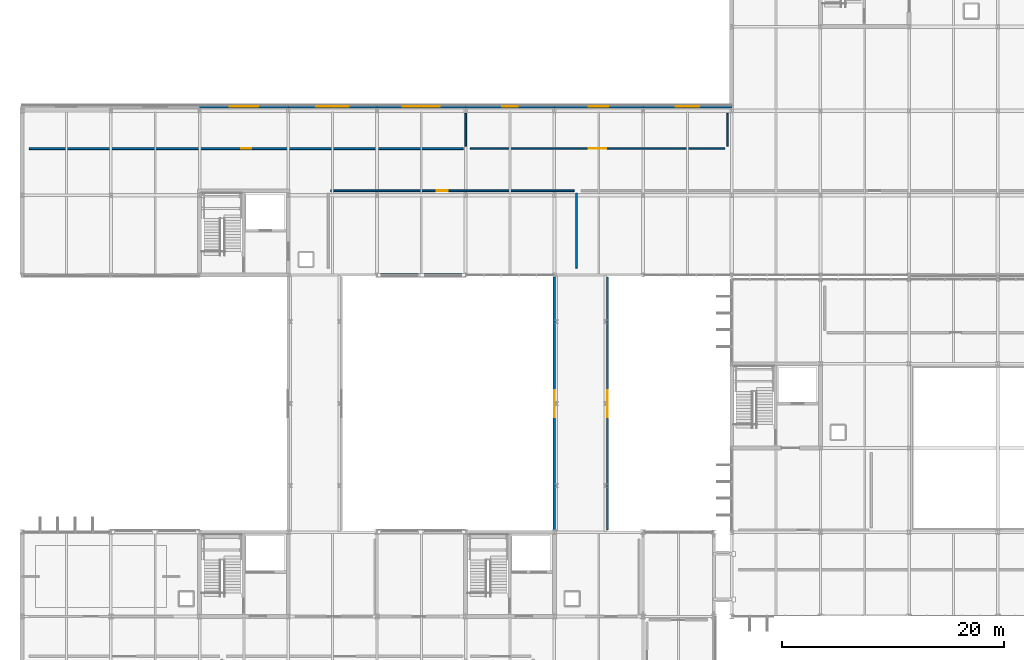
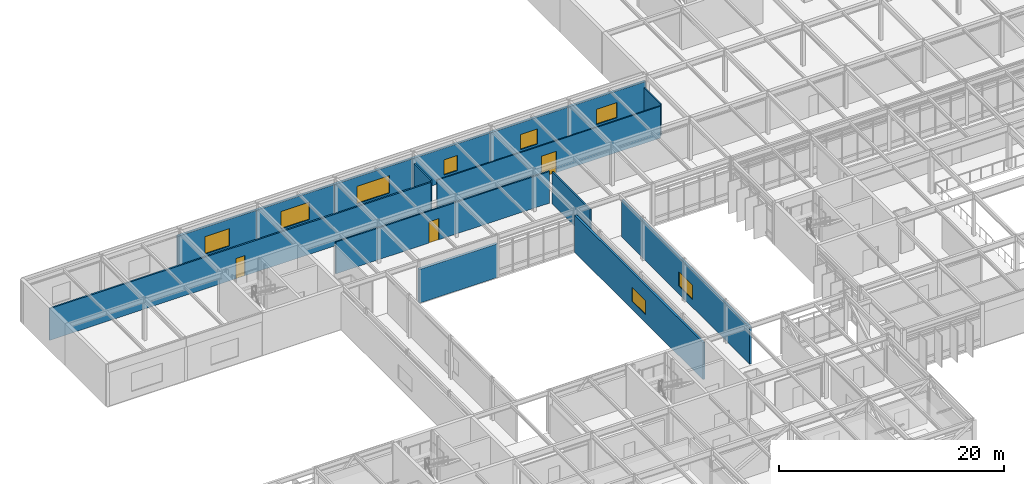
# One storey, part 82 of 104: 15 walls, 8 windows, 3 doors, 11 openings.
"""IFC4 building model written with IfcOpenShell, lengths in metres."""

from ifc_helpers import new_model, si_unit, direction, frame, frame_2d, origin, place, context, subcontext, project, spatial, rectangle, extrude, material, layer, layer_set, type_object, element, fill, save


model = new_model("IFC4")

# Units and contexts
model_context = context("Model", 3, precision=1e-05, world=origin(), true_north=direction((0.0, 1.0)))
body_context = subcontext(model_context, "Body", "Model", "MODEL_VIEW")
ifc_project = project(units=[si_unit("LENGTHUNIT", "METRE"), si_unit("AREAUNIT", "SQUARE_METRE"), si_unit("VOLUMEUNIT", "CUBIC_METRE"), si_unit("PLANEANGLEUNIT", "RADIAN"), si_unit("MASSUNIT", "GRAM", prefix="KILO")], contexts=[model_context])

# Site, building, storey
site_placement = place(None, origin())
site = spatial("IfcSite", under=ifc_project, at=site_placement, CompositionType="ELEMENT")
building_placement = place(site_placement, origin())
building = spatial("IfcBuilding", under=site, at=building_placement, Name="Zulena Civic Courthouse", CompositionType="ELEMENT")
storey_placement = place(building_placement, frame((0.0, 0.0, 15.60009765625)))
storey = spatial("IfcBuildingStorey", under=building, at=storey_placement, Name="L03", CompositionType="ELEMENT", Elevation=15.60009765625)

# Wall, opening, window
ifc_material_1 = material(Name="Travertine-cream architectural precast concrete C40/50", Category="masonry")
ifc_layer_1 = layer(ifc_material_1, 0.205078125)
ifc_layer_set_1 = layer_set([ifc_layer_1], Name="Travertine-cream architectural precast concrete C40/50")
wall_type_1 = type_object("IfcWallType", Name="BridgeWall_GlazedScreen_205", PredefinedType="STANDARD", material=ifc_layer_set_1)
wall_1_placement = place(storey_placement, frame((52.0, 22.97998046875, 0.0), z_axis=(0.0, 0.0, 1.0), x_axis=(0.0, 1.0, 0.0)))
wall_1 = element("IfcWall", 1, at=wall_1_placement, inside=storey, type_object=wall_type_1, Name="ewall:bridge:BR-52C:L03:W", PredefinedType="STANDARD", context=body_context, shape_type="SweptSolid", body=[
    extrude(rectangle(XDim=22.840087890625, YDim=0.205078125, at=frame_2d((11.419921875, 0.0))), origin(), (0.0, 0.0, 1.0), 4.02001953125),
])
opening_1_placement = place(wall_1_placement, frame((10.195068359375, 0.0, 0.85009765625)))
opening_1 = element("IfcOpeningElement", 2, at=opening_1_placement, cuts=wall_1, Name="Opening WN27", PredefinedType="OPENING", context=body_context, shape_type="SweptSolid", body=[
    extrude(rectangle(XDim=2.449951171875, YDim=1.550048828125, at=frame_2d((1.22509765625, 0.77490234375))), frame((0.0, 0.112548828125, 0.0), z_axis=(0.0, -1.0, 0.0), x_axis=(1.0, 0.0, 0.0)), (0.0, 0.0, 1.0), 0.22509765625),
])
ifc_material_2 = material(Name="Double-silver low-E laminated solar-control glass", Category="glass")
window_type_1 = type_object("IfcWindowType", Name="Win_2450x1550", PartitioningType="DOUBLE_PANEL_VERTICAL", PredefinedType="WINDOW", material=ifc_material_2)
window_1_placement = place(opening_1_placement, origin())
window_1 = element("IfcWindow", 3, at=window_1_placement, inside=storey, type_object=window_type_1, Name="win:bridge:BR-52C:L03:W", OverallHeight=1.550048828125, OverallWidth=2.449951171875, PartitioningType="SINGLE_PANEL", PredefinedType="WINDOW", context=body_context, shape_type="SweptSolid", body=[
    extrude(rectangle(XDim=2.449951171875, YDim=1.550048828125, at=frame_2d((1.22509765625, 0.77490234375))), frame((0.0, 0.030029296875, 0.0), z_axis=(0.0, -1.0, 0.0), x_axis=(1.0, 0.0, 0.0)), (0.0, 0.0, 1.0), 0.06005859375),
])
fill(opening_1, window_1)

wall_2_placement = place(storey_placement, frame((56.800048828125, 45.820068359375, 0.0), z_axis=(0.0, 0.0, 1.0), x_axis=(0.0, -1.0, 0.0)))
wall_2 = element("IfcWall", 4, at=wall_2_placement, inside=storey, type_object=wall_type_1, Name="ewall:bridge:BR-52C:L03:E", PredefinedType="STANDARD", context=body_context, shape_type="SweptSolid", body=[
    extrude(rectangle(XDim=22.840087890625, YDim=0.205078125, at=frame_2d((11.419921875, 0.0))), origin(), (0.0, 0.0, 1.0), 4.02001953125),
])
opening_2_placement = place(wall_2_placement, frame((10.195068359375, 0.0, 0.85009765625)))
opening_2 = element("IfcOpeningElement", 5, at=opening_2_placement, cuts=wall_2, Name="Opening WN27", PredefinedType="OPENING", context=body_context, shape_type="SweptSolid", body=[
    extrude(rectangle(XDim=2.449951171875, YDim=1.550048828125, at=frame_2d((1.22509765625, 0.77490234375))), frame((0.0, 0.112548828125, 0.0), z_axis=(0.0, -1.0, 0.0), x_axis=(1.0, 0.0, 0.0)), (0.0, 0.0, 1.0), 0.22509765625),
])
window_2_placement = place(opening_2_placement, origin())
window_2 = element("IfcWindow", 6, at=window_2_placement, inside=storey, type_object=window_type_1, Name="win:bridge:BR-52C:L03:E", OverallHeight=1.550048828125, OverallWidth=2.449951171875, PartitioningType="SINGLE_PANEL", PredefinedType="WINDOW", context=body_context, shape_type="SweptSolid", body=[
    extrude(rectangle(XDim=2.449951171875, YDim=1.550048828125, at=frame_2d((1.22509765625, 0.77490234375))), frame((0.0, 0.030029296875, 0.0), z_axis=(0.0, -1.0, 0.0), x_axis=(1.0, 0.0, 0.0)), (0.0, 0.0, 1.0), 0.06005859375),
])
fill(opening_2, window_2)

ifc_material_3 = material(Name="Buff architectural precast concrete C40/50", Category="concrete")
ifc_layer_2 = layer(ifc_material_3, 0.264892578125)
ifc_layer_set_2 = layer_set([ifc_layer_2], Name="Buff architectural precast concrete C40/50")
wall_type_2 = type_object("IfcWallType", Name="ExtWall_BuffPrecast_265", PredefinedType="STANDARD", material=ifc_layer_set_2)
wall_3_placement = place(storey_placement, frame((19.97998046875, 61.199951171875, 0.0), z_axis=(0.0, 0.0, 1.0), x_axis=(1.0, 0.0, 0.0)))
wall_3 = element("IfcWall", 7, at=wall_3_placement, inside=storey, type_object=wall_type_2, Name="ewall:V5:L03:1:2", PredefinedType="STANDARD", context=body_context, shape_type="SweptSolid", body=[
    extrude(rectangle(XDim=8.0400390625, YDim=0.264892578125, at=frame_2d((4.02001953125, 0.0))), origin(), (0.0, 0.0, 1.0), 3.659912109375),
])
opening_3_placement = place(wall_3_placement, frame((2.7451171875, 0.0, 0.75)))
opening_3 = element("IfcOpeningElement", 8, at=opening_3_placement, cuts=wall_3, Name="Opening WN39", PredefinedType="OPENING", context=body_context, shape_type="SweptSolid", body=[
    extrude(rectangle(XDim=2.550048828125, YDim=1.89990234375, at=frame_2d((1.27490234375, 0.949951171875))), frame((0.0, 0.142333984375, 0.0), z_axis=(0.0, -1.0, 0.0), x_axis=(1.0, 0.0, 0.0)), (0.0, 0.0, 1.0), 0.284912109375),
])
window_type_2 = type_object("IfcWindowType", Name="Win_2550x1900", PartitioningType="DOUBLE_PANEL_VERTICAL", PredefinedType="WINDOW", material=ifc_material_2)
window_3_placement = place(opening_3_placement, origin())
window_3 = element("IfcWindow", 9, at=window_3_placement, inside=storey, type_object=window_type_2, Name="win:V5:L03:1:2", OverallHeight=1.89990234375, OverallWidth=2.550048828125, PartitioningType="SINGLE_PANEL", PredefinedType="WINDOW", context=body_context, shape_type="SweptSolid", body=[
    extrude(rectangle(XDim=2.550048828125, YDim=1.89990234375, at=frame_2d((1.27490234375, 0.949951171875))), frame((0.0, 0.030029296875, 0.0), z_axis=(0.0, -1.0, 0.0), x_axis=(1.0, 0.0, 0.0)), (0.0, 0.0, 1.0), 0.06005859375),
])
fill(opening_3, window_3)

wall_4_placement = place(storey_placement, frame((27.97998046875, 61.199951171875, 0.0), z_axis=(0.0, 0.0, 1.0), x_axis=(1.0, 0.0, 0.0)))
wall_4 = element("IfcWall", 10, at=wall_4_placement, inside=storey, type_object=wall_type_2, Name="ewall:V5:L03:1:3", PredefinedType="STANDARD", context=body_context, shape_type="SweptSolid", body=[
    extrude(rectangle(XDim=8.0400390625, YDim=0.264892578125, at=frame_2d((4.02001953125, 0.0))), origin(), (0.0, 0.0, 1.0), 3.659912109375),
])
opening_4_placement = place(wall_4_placement, frame((2.544921875, 0.0, 0.75)))
opening_4 = element("IfcOpeningElement", 11, at=opening_4_placement, cuts=wall_4, Name="Opening WN40", PredefinedType="OPENING", context=body_context, shape_type="SweptSolid", body=[
    extrude(rectangle(XDim=2.949951171875, YDim=1.89990234375, at=frame_2d((1.47509765625, 0.949951171875))), frame((0.0, 0.142333984375, 0.0), z_axis=(0.0, -1.0, 0.0), x_axis=(1.0, 0.0, 0.0)), (0.0, 0.0, 1.0), 0.284912109375),
])
window_type_3 = type_object("IfcWindowType", Name="Win_2950x1900", PartitioningType="DOUBLE_PANEL_VERTICAL", PredefinedType="WINDOW", material=ifc_material_2)
window_4_placement = place(opening_4_placement, origin())
window_4 = element("IfcWindow", 12, at=window_4_placement, inside=storey, type_object=window_type_3, Name="win:V5:L03:1:3", OverallHeight=1.89990234375, OverallWidth=2.949951171875, PartitioningType="SINGLE_PANEL", PredefinedType="WINDOW", context=body_context, shape_type="SweptSolid", body=[
    extrude(rectangle(XDim=2.949951171875, YDim=1.89990234375, at=frame_2d((1.47509765625, 0.949951171875))), frame((0.0, 0.030029296875, 0.0), z_axis=(0.0, -1.0, 0.0), x_axis=(1.0, 0.0, 0.0)), (0.0, 0.0, 1.0), 0.06005859375),
])
fill(opening_4, window_4)

wall_5_placement = place(storey_placement, frame((35.97998046875, 61.199951171875, 0.0), z_axis=(0.0, 0.0, 1.0), x_axis=(1.0, 0.0, 0.0)))
wall_5 = element("IfcWall", 13, at=wall_5_placement, inside=storey, type_object=wall_type_2, Name="ewall:V5:L03:1:4", PredefinedType="STANDARD", context=body_context, shape_type="SweptSolid", body=[
    extrude(rectangle(XDim=8.0400390625, YDim=0.264892578125, at=frame_2d((4.02001953125, 0.0))), origin(), (0.0, 0.0, 1.0), 3.659912109375),
])
opening_5_placement = place(wall_5_placement, frame((2.344970703125, 0.0, 0.75)))
opening_5 = element("IfcOpeningElement", 14, at=opening_5_placement, cuts=wall_5, Name="Opening WN41", PredefinedType="OPENING", context=body_context, shape_type="SweptSolid", body=[
    extrude(rectangle(XDim=3.35009765625, YDim=1.89990234375, at=frame_2d((1.675048828125, 0.949951171875))), frame((0.0, 0.142333984375, 0.0), z_axis=(0.0, -1.0, 0.0), x_axis=(1.0, 0.0, 0.0)), (0.0, 0.0, 1.0), 0.284912109375),
])
window_type_4 = type_object("IfcWindowType", Name="Win_3350x1900", PartitioningType="DOUBLE_PANEL_VERTICAL", PredefinedType="WINDOW", material=ifc_material_2)
window_5_placement = place(opening_5_placement, origin())
window_5 = element("IfcWindow", 15, at=window_5_placement, inside=storey, type_object=window_type_4, Name="win:V5:L03:1:4", OverallHeight=1.89990234375, OverallWidth=3.35009765625, PartitioningType="SINGLE_PANEL", PredefinedType="WINDOW", context=body_context, shape_type="SweptSolid", body=[
    extrude(rectangle(XDim=3.35009765625, YDim=1.89990234375, at=frame_2d((1.675048828125, 0.949951171875))), frame((0.0, 0.030029296875, 0.0), z_axis=(0.0, -1.0, 0.0), x_axis=(1.0, 0.0, 0.0)), (0.0, 0.0, 1.0), 0.06005859375),
])
fill(opening_5, window_5)

wall_6_placement = place(storey_placement, frame((43.97998046875, 61.199951171875, 0.0), z_axis=(0.0, 0.0, 1.0), x_axis=(1.0, 0.0, 0.0)))
wall_6 = element("IfcWall", 16, at=wall_6_placement, inside=storey, type_object=wall_type_2, Name="ewall:V5:L03:1:5", PredefinedType="STANDARD", context=body_context, shape_type="SweptSolid", body=[
    extrude(rectangle(XDim=8.0400390625, YDim=0.264892578125, at=frame_2d((4.02001953125, 0.0))), origin(), (0.0, 0.0, 1.0), 3.659912109375),
])
opening_6_placement = place(wall_6_placement, frame((3.320068359375, 0.0, 0.75)))
opening_6 = element("IfcOpeningElement", 17, at=opening_6_placement, cuts=wall_6, Name="Opening WN42", PredefinedType="OPENING", context=body_context, shape_type="SweptSolid", body=[
    extrude(rectangle(XDim=1.39990234375, YDim=1.64990234375, at=frame_2d((0.699951171875, 0.824951171875))), frame((0.0, 0.142333984375, 0.0), z_axis=(0.0, -1.0, 0.0), x_axis=(1.0, 0.0, 0.0)), (0.0, 0.0, 1.0), 0.284912109375),
])
window_type_5 = type_object("IfcWindowType", Name="Win_1400x1650", PartitioningType="SINGLE_PANEL", PredefinedType="WINDOW", material=ifc_material_2)
window_6_placement = place(opening_6_placement, origin())
window_6 = element("IfcWindow", 18, at=window_6_placement, inside=storey, type_object=window_type_5, Name="win:V5:L03:1:5", OverallHeight=1.64990234375, OverallWidth=1.39990234375, PartitioningType="SINGLE_PANEL", PredefinedType="WINDOW", context=body_context, shape_type="SweptSolid", body=[
    extrude(rectangle(XDim=1.39990234375, YDim=1.64990234375, at=frame_2d((0.699951171875, 0.824951171875))), frame((0.0, 0.030029296875, 0.0), z_axis=(0.0, -1.0, 0.0), x_axis=(1.0, 0.0, 0.0)), (0.0, 0.0, 1.0), 0.06005859375),
])
fill(opening_6, window_6)

wall_7_placement = place(storey_placement, frame((51.97998046875, 61.199951171875, 0.0), z_axis=(0.0, 0.0, 1.0), x_axis=(1.0, 0.0, 0.0)))
wall_7 = element("IfcWall", 19, at=wall_7_placement, inside=storey, type_object=wall_type_2, Name="ewall:V5:L03:1:6", PredefinedType="STANDARD", context=body_context, shape_type="SweptSolid", body=[
    extrude(rectangle(XDim=8.0400390625, YDim=0.264892578125, at=frame_2d((4.02001953125, 0.0))), origin(), (0.0, 0.0, 1.0), 3.659912109375),
])
opening_7_placement = place(wall_7_placement, frame((3.14501953125, 0.0, 0.75)))
opening_7 = element("IfcOpeningElement", 20, at=opening_7_placement, cuts=wall_7, Name="Opening WN43", PredefinedType="OPENING", context=body_context, shape_type="SweptSolid", body=[
    extrude(rectangle(XDim=1.75, YDim=1.64990234375, at=frame_2d((0.875, 0.824951171875))), frame((0.0, 0.142333984375, 0.0), z_axis=(0.0, -1.0, 0.0), x_axis=(1.0, 0.0, 0.0)), (0.0, 0.0, 1.0), 0.284912109375),
])
window_type_6 = type_object("IfcWindowType", Name="Win_1750x1650", PartitioningType="SINGLE_PANEL", PredefinedType="WINDOW", material=ifc_material_2)
window_7_placement = place(opening_7_placement, origin())
window_7 = element("IfcWindow", 21, at=window_7_placement, inside=storey, type_object=window_type_6, Name="win:V5:L03:1:6", OverallHeight=1.64990234375, OverallWidth=1.75, PartitioningType="SINGLE_PANEL", PredefinedType="WINDOW", context=body_context, shape_type="SweptSolid", body=[
    extrude(rectangle(XDim=1.75, YDim=1.64990234375, at=frame_2d((0.875, 0.824951171875))), frame((0.0, 0.030029296875, 0.0), z_axis=(0.0, -1.0, 0.0), x_axis=(1.0, 0.0, 0.0)), (0.0, 0.0, 1.0), 0.06005859375),
])
fill(opening_7, window_7)

wall_8_placement = place(storey_placement, frame((59.97998046875, 61.199951171875, 0.0), z_axis=(0.0, 0.0, 1.0), x_axis=(1.0, 0.0, 0.0)))
wall_8 = element("IfcWall", 22, at=wall_8_placement, inside=storey, type_object=wall_type_2, Name="ewall:V5:L03:1:7", PredefinedType="STANDARD", context=body_context, shape_type="SweptSolid", body=[
    extrude(rectangle(XDim=8.0400390625, YDim=0.264892578125, at=frame_2d((4.02001953125, 0.0))), origin(), (0.0, 0.0, 1.0), 3.659912109375),
])
opening_8_placement = place(wall_8_placement, frame((2.969970703125, 0.0, 0.75)))
opening_8 = element("IfcOpeningElement", 23, at=opening_8_placement, cuts=wall_8, Name="Opening WN44", PredefinedType="OPENING", context=body_context, shape_type="SweptSolid", body=[
    extrude(rectangle(XDim=2.10009765625, YDim=1.64990234375, at=frame_2d((1.050048828125, 0.824951171875))), frame((0.0, 0.142333984375, 0.0), z_axis=(0.0, -1.0, 0.0), x_axis=(1.0, 0.0, 0.0)), (0.0, 0.0, 1.0), 0.284912109375),
])
window_type_7 = type_object("IfcWindowType", Name="Win_2100x1650", PartitioningType="DOUBLE_PANEL_VERTICAL", PredefinedType="WINDOW", material=ifc_material_2)
window_8_placement = place(opening_8_placement, origin())
window_8 = element("IfcWindow", 24, at=window_8_placement, inside=storey, type_object=window_type_7, Name="win:V5:L03:1:7", OverallHeight=1.64990234375, OverallWidth=2.10009765625, PartitioningType="SINGLE_PANEL", PredefinedType="WINDOW", context=body_context, shape_type="SweptSolid", body=[
    extrude(rectangle(XDim=2.10009765625, YDim=1.64990234375, at=frame_2d((1.050048828125, 0.824951171875))), frame((0.0, 0.030029296875, 0.0), z_axis=(0.0, -1.0, 0.0), x_axis=(1.0, 0.0, 0.0)), (0.0, 0.0, 1.0), 0.06005859375),
])
fill(opening_8, window_8)

# Wall
wall_9_placement = place(storey_placement, frame((44.02001953125, 46.0, 0.0), z_axis=(0.0, 0.0, 1.0), x_axis=(-1.0, 0.0, 0.0)))
element("IfcWall", 25, at=wall_9_placement, inside=storey, type_object=wall_type_2, Name="ewall:V5:L03:5:8", PredefinedType="STANDARD", context=body_context, shape_type="SweptSolid", body=[
    extrude(rectangle(XDim=8.0400390625, YDim=0.264892578125, at=frame_2d((4.02001953125, 0.0))), origin(), (0.0, 0.0, 1.0), 3.659912109375),
])

# Wall, opening, door
ifc_material_4 = material(Name="Acoustic fire-rated gypsum board assembly", Category="masonry")
ifc_layer_3 = layer(ifc_material_4, 0.14599609375)
ifc_layer_set_3 = layer_set([ifc_layer_3], Name="Acoustic fire-rated gypsum board assembly")
wall_type_3 = type_object("IfcWallType", Name="PartWall_Chambers_146", PredefinedType="PARTITIONING", material=ifc_layer_set_3)
wall_10_placement = place(storey_placement, frame((31.820068359375, 53.60009765625, 0.0), z_axis=(0.0, 0.0, 1.0), x_axis=(1.0, 0.0, 0.0)))
wall_10 = element("IfcWall", 26, at=wall_10_placement, inside=storey, type_object=wall_type_3, Name="pwall:L03:397:0", PredefinedType="PARTITIONING", context=body_context, shape_type="SweptSolid", body=[
    extrude(rectangle(XDim=21.9599609375, YDim=0.14599609375, at=frame_2d((10.97998046875, 0.0))), origin(), (0.0, 0.0, 1.0), 3.449951171875),
])
opening_9_placement = place(wall_10_placement, frame((9.580078125, 0.0, 0.0)))
opening_9 = element("IfcOpeningElement", 27, at=opening_9_placement, cuts=wall_10, Name="Opening ID13", PredefinedType="OPENING", context=body_context, shape_type="SweptSolid", body=[
    extrude(rectangle(XDim=1.0, YDim=2.300048828125, at=frame_2d((0.5, 1.14990234375))), frame((0.0, 0.0830078125, 0.0), z_axis=(0.0, -1.0, 0.0), x_axis=(1.0, 0.0, 0.0)), (0.0, 0.0, 1.0), 0.166015625),
])
ifc_material_5 = material(Name="Solid-core acoustic hardwood timber", Category="wood")
door_type_1 = type_object("IfcDoorType", Name="IntDoor_Chambers_1000x2300", OperationType="NOTDEFINED", PredefinedType="DOOR", material=ifc_material_5)
door_1_placement = place(opening_9_placement, origin())
door_1 = element("IfcDoor", 28, at=door_1_placement, inside=storey, type_object=door_type_1, Name="door:rm:L03:397", OperationType="SINGLE_SWING_LEFT", OverallHeight=2.300048828125, OverallWidth=1.0, PredefinedType="DOOR", context=body_context, shape_type="SweptSolid", body=[
    extrude(rectangle(XDim=1.0, YDim=2.300048828125, at=frame_2d((0.5, 1.14990234375))), frame((0.0, 0.02490234375, 0.0), z_axis=(0.0, -1.0, 0.0), x_axis=(1.0, 0.0, 0.0)), (0.0, 0.0, 1.0), 0.050048828125),
])
fill(opening_9, door_1)

# Wall
wall_11_placement = place(storey_placement, frame((54.0, 46.6201171875, 0.0), z_axis=(0.0, 0.0, 1.0), x_axis=(0.0, 1.0, 0.0)))
element("IfcWall", 29, at=wall_11_placement, inside=storey, type_object=wall_type_3, Name="pwall:L03:397:2", PredefinedType="PARTITIONING", context=body_context, shape_type="SweptSolid", body=[
    extrude(rectangle(XDim=6.759765625, YDim=0.14599609375, at=frame_2d((3.3798828125, 0.0))), origin(), (0.0, 0.0, 1.0), 3.449951171875),
])

# Wall, opening, door
ifc_layer_4 = layer(ifc_material_4, 0.162109375)
ifc_layer_set_4 = layer_set([ifc_layer_4], Name="Acoustic fire-rated gypsum board assembly")
wall_type_4 = type_object("IfcWallType", Name="PartWall_Jury_162", PredefinedType="PARTITIONING", material=ifc_layer_set_4)
wall_12_placement = place(storey_placement, frame((4.6201171875, 57.39990234375, 0.0), z_axis=(0.0, 0.0, 1.0), x_axis=(1.0, 0.0, 0.0)))
wall_12 = element("IfcWall", 30, at=wall_12_placement, inside=storey, type_object=wall_type_4, Name="pwall:L03:399:0", PredefinedType="PARTITIONING", context=body_context, shape_type="SweptSolid", body=[
    extrude(rectangle(XDim=39.159912109375, YDim=0.162109375, at=frame_2d((19.580078125, 0.0))), origin(), (0.0, 0.0, 1.0), 3.449951171875),
])
opening_10_placement = place(wall_12_placement, frame((19.1201171875, 0.0, 0.0)))
opening_10 = element("IfcOpeningElement", 31, at=opening_10_placement, cuts=wall_12, Name="Opening ID15", PredefinedType="OPENING", context=body_context, shape_type="SweptSolid", body=[
    extrude(rectangle(XDim=0.919921875, YDim=2.199951171875, at=frame_2d((0.4599609375, 1.10009765625))), frame((0.0, 0.091064453125, 0.0), z_axis=(0.0, -1.0, 0.0), x_axis=(1.0, 0.0, 0.0)), (0.0, 0.0, 1.0), 0.18212890625),
])
door_type_2 = type_object("IfcDoorType", Name="IntDoor_Chambers_920x2200", OperationType="NOTDEFINED", PredefinedType="DOOR", material=ifc_material_5)
door_2_placement = place(opening_10_placement, origin())
door_2 = element("IfcDoor", 32, at=door_2_placement, inside=storey, type_object=door_type_2, Name="door:rm:L03:399", OperationType="SINGLE_SWING_LEFT", OverallHeight=2.199951171875, OverallWidth=0.919921875, PredefinedType="DOOR", context=body_context, shape_type="SweptSolid", body=[
    extrude(rectangle(XDim=0.919921875, YDim=2.199951171875, at=frame_2d((0.4599609375, 1.10009765625))), frame((0.0, 0.02490234375, 0.0), z_axis=(0.0, -1.0, 0.0), x_axis=(1.0, 0.0, 0.0)), (0.0, 0.0, 1.0), 0.050048828125),
])
fill(opening_10, door_2)

# Wall
wall_13_placement = place(storey_placement, frame((44.0, 57.6201171875, 0.0), z_axis=(0.0, 0.0, 1.0), x_axis=(0.0, 1.0, 0.0)))
element("IfcWall", 33, at=wall_13_placement, inside=storey, type_object=wall_type_4, Name="pwall:L03:399:1", PredefinedType="PARTITIONING", context=body_context, shape_type="SweptSolid", body=[
    extrude(rectangle(XDim=2.9599609375, YDim=0.162109375, at=frame_2d((1.47998046875, 0.0))), origin(), (0.0, 0.0, 1.0), 3.449951171875),
])

# Wall, opening, door
ifc_material_6 = material(Name="Insulated blockwork masonry ASTM C90", Category="masonry")
ifc_layer_5 = layer(ifc_material_6, 0.1279296875)
ifc_layer_set_5 = layer_set([ifc_layer_5], Name="Insulated blockwork masonry ASTM C90")
wall_type_5 = type_object("IfcWallType", Name="PartWall_WetRoom_128", PredefinedType="PARTITIONING", material=ifc_layer_set_5)
wall_14_placement = place(storey_placement, frame((44.419921875, 57.39990234375, 0.0), z_axis=(0.0, 0.0, 1.0), x_axis=(1.0, 0.0, 0.0)))
wall_14 = element("IfcWall", 34, at=wall_14_placement, inside=storey, type_object=wall_type_5, Name="pwall:L03:400:0", PredefinedType="PARTITIONING", context=body_context, shape_type="SweptSolid", body=[
    extrude(rectangle(XDim=22.9599609375, YDim=0.1279296875, at=frame_2d((11.47998046875, 0.0))), origin(), (0.0, 0.0, 1.0), 3.449951171875),
])
opening_11_placement = place(wall_14_placement, frame((10.705078125, 0.0, 0.0)))
opening_11 = element("IfcOpeningElement", 35, at=opening_11_placement, cuts=wall_14, Name="Opening ID16", PredefinedType="OPENING", context=body_context, shape_type="SweptSolid", body=[
    extrude(rectangle(XDim=1.550048828125, YDim=2.300048828125, at=frame_2d((0.77490234375, 1.14990234375))), frame((0.0, 0.073974609375, 0.0), z_axis=(0.0, -1.0, 0.0), x_axis=(1.0, 0.0, 0.0)), (0.0, 0.0, 1.0), 0.14794921875),
])
door_type_3 = type_object("IfcDoorType", Name="IntDoor_Registry_1550x2300", OperationType="DOUBLE_DOOR_SINGLE_SWING", PredefinedType="DOOR", material=ifc_material_5)
door_3_placement = place(opening_11_placement, origin())
door_3 = element("IfcDoor", 36, at=door_3_placement, inside=storey, type_object=door_type_3, Name="door:rm:L03:400", OperationType="DOUBLE_DOOR_SINGLE_SWING", OverallHeight=2.300048828125, OverallWidth=1.550048828125, PredefinedType="DOOR", context=body_context, shape_type="SweptSolid", body=[
    extrude(rectangle(XDim=1.550048828125, YDim=2.300048828125, at=frame_2d((0.77490234375, 1.14990234375))), frame((0.0, 0.02490234375, 0.0), z_axis=(0.0, -1.0, 0.0), x_axis=(1.0, 0.0, 0.0)), (0.0, 0.0, 1.0), 0.050048828125),
])
fill(opening_11, door_3)

# Wall
wall_15_placement = place(storey_placement, frame((67.60009765625, 57.6201171875, 0.0), z_axis=(0.0, 0.0, 1.0), x_axis=(0.0, 1.0, 0.0)))
element("IfcWall", 37, at=wall_15_placement, inside=storey, type_object=wall_type_5, Name="pwall:L03:400:1", PredefinedType="PARTITIONING", context=body_context, shape_type="SweptSolid", body=[
    extrude(rectangle(XDim=2.9599609375, YDim=0.1279296875, at=frame_2d((1.47998046875, 0.0))), origin(), (0.0, 0.0, 1.0), 3.449951171875),
])

save(model, "model.ifc")
